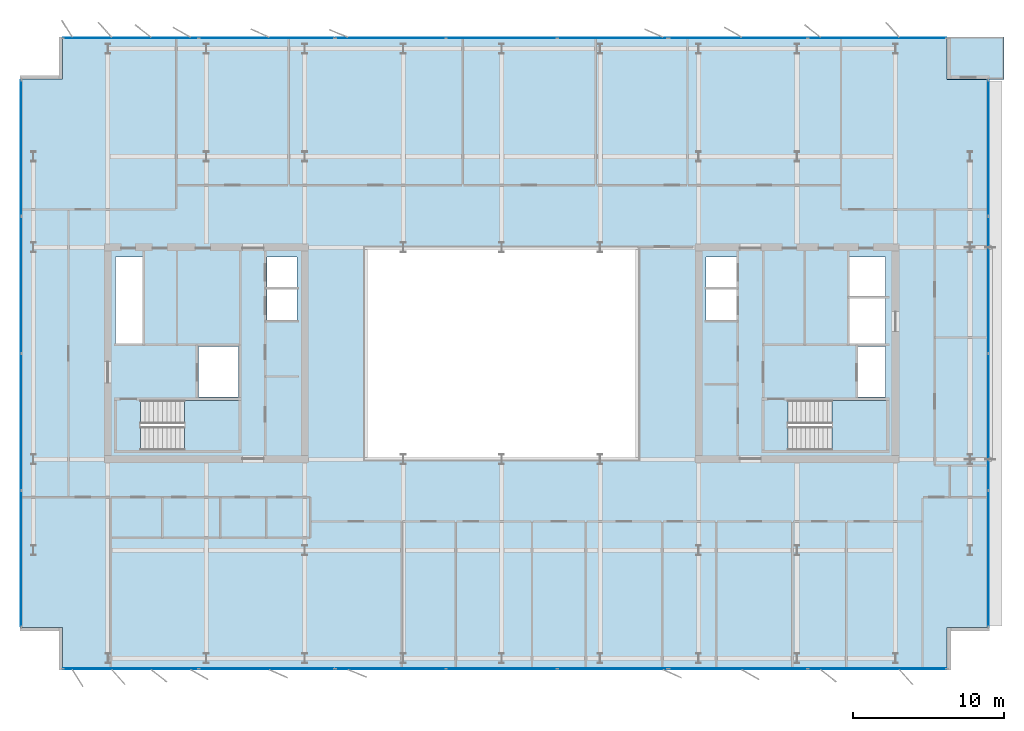
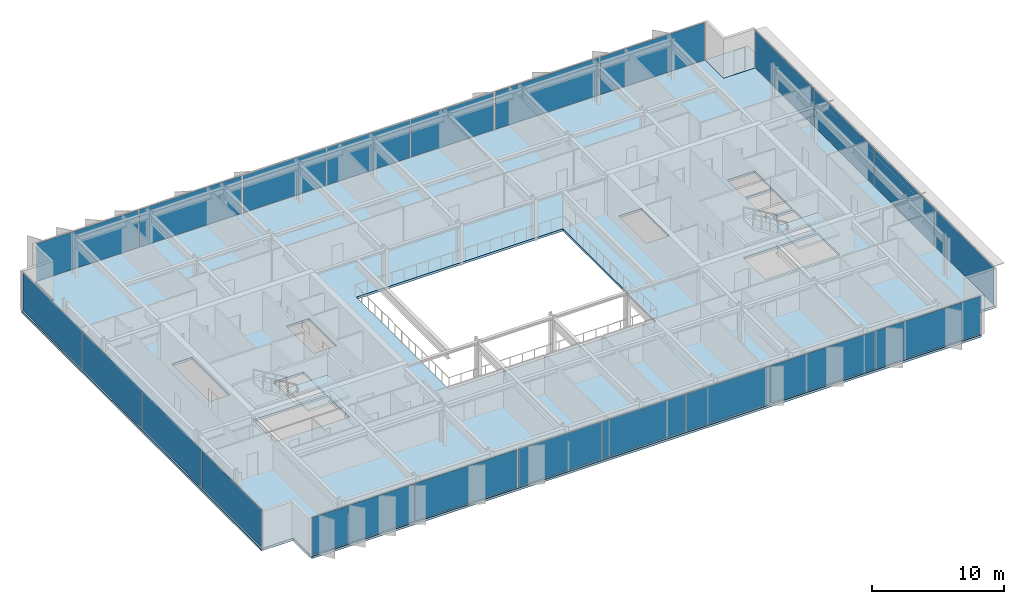
# One storey, part 10 of 19: 22 plates, 4 slabs, 10 elements without a shape of their own.
"""IFC4 building model written with IfcOpenShell, lengths in metres."""

from ifc_helpers import new_model, si_unit, direction, frame, origin, origin_2d, place, context, subcontext, project, spatial, polyline, rectangle, outline, extrude, material, layer, layer_set, type_object, element, aggregate, save


model = new_model("IFC4")

# Units and contexts
model_context = context("Model", 3, precision=1e-05, world=origin(), true_north=direction((0.0, 1.0)))
body_context = subcontext(model_context, "Body", "Model", "MODEL_VIEW")
ifc_project = project(units=[si_unit("LENGTHUNIT", "METRE"), si_unit("AREAUNIT", "SQUARE_METRE"), si_unit("VOLUMEUNIT", "CUBIC_METRE"), si_unit("PLANEANGLEUNIT", "RADIAN"), si_unit("MASSUNIT", "GRAM", prefix="KILO")], contexts=[model_context])

# Site, building, storey
site_placement = place(None, origin())
site = spatial("IfcSite", under=ifc_project, at=site_placement, CompositionType="ELEMENT")
building_placement = place(site_placement, origin())
building = spatial("IfcBuilding", under=site, at=building_placement, Name="Putna Gate Headquarters", CompositionType="ELEMENT")
storey_placement = place(building_placement, frame((0.0, 0.0, 267.0)))
storey = spatial("IfcBuildingStorey", under=building, at=storey_placement, Name="L67", CompositionType="ELEMENT", Elevation=267.0)

# Stair, slab
ifc_material_1 = material(Name="Concrete C40/50", Category="concrete")
stair_type_1 = type_object("IfcStairType", Name="STAIR-ST1", PredefinedType="HALF_TURN_STAIR", material=ifc_material_1)
stair_1_placement = place(storey_placement, origin())
stair_1 = element("IfcStair", 1, at=stair_1_placement, inside=storey, type_object=stair_type_1, Name="L67 West Core Exit Stair ST1", PredefinedType="HALF_TURN_STAIR")
ifc_layer_1 = layer(ifc_material_1, 0.199951171875)
ifc_layer_set_1 = layer_set([ifc_layer_1], Name="Concrete C40/50")
slab_type_1 = type_object("IfcSlabType", Name="LANDING-ST1", PredefinedType="LANDING", material=ifc_layer_set_1)
slab_1_placement = place(storey_placement, frame((0.0, 0.0, 1.699951171875)))
slab_1 = element("IfcSlab", 2, at=slab_1_placement, type_object=slab_type_1, Name="ST1 landing 1", PredefinedType="LANDING", context=body_context, shape_type="SweptSolid", body=[
    extrude(outline(polyline([(18.050048828125, 19.60009765625), (21.64990234375, 19.60009765625), (21.64990234375, 22.89990234375), (18.050048828125, 22.89990234375), (18.050048828125, 19.60009765625)])), origin(), (0.0, 0.0, 1.0), 0.199951171875),
])
aggregate(stair_1, [slab_1])

stair_type_2 = type_object("IfcStairType", Name="STAIR-ST2", PredefinedType="HALF_TURN_STAIR", material=ifc_material_1)
stair_2_placement = place(storey_placement, origin())
stair_2 = element("IfcStair", 3, at=stair_2_placement, inside=storey, type_object=stair_type_2, Name="L67 East Core Exit Stair ST2", PredefinedType="HALF_TURN_STAIR")
ifc_layer_2 = layer(ifc_material_1, 0.199951171875)
ifc_layer_set_2 = layer_set([ifc_layer_2], Name="Concrete C40/50")
slab_type_2 = type_object("IfcSlabType", Name="LANDING-ST2", PredefinedType="LANDING", material=ifc_layer_set_2)
slab_2_placement = place(storey_placement, frame((0.0, 0.0, 1.699951171875)))
slab_2 = element("IfcSlab", 4, at=slab_2_placement, type_object=slab_type_2, Name="ST2 landing 1", PredefinedType="LANDING", context=body_context, shape_type="SweptSolid", body=[
    extrude(outline(polyline([(60.800048828125, 19.60009765625), (64.39990234375, 19.60009765625), (64.39990234375, 22.89990234375), (60.800048828125, 22.89990234375), (60.800048828125, 19.60009765625)])), origin(), (0.0, 0.0, 1.0), 0.199951171875),
])
aggregate(stair_2, [slab_2])

# Curtain wall, plates
ifc_material_2 = material(Name="Anodised bronze aluminium curtain wall", Category="aluminium")
ifc_layer_3 = layer(ifc_material_2, 0.179931640625)
ifc_layer_set_3 = layer_set([ifc_layer_3], Name="Anodised bronze aluminium curtain wall")
curtain_wall_type_1 = type_object("IfcCurtainWallType", Name="CW-SYS-Z5", PredefinedType="USERDEFINED", material=ifc_layer_set_3)
curtain_wall_1_placement = place(storey_placement, origin())
curtain_wall_1 = element("IfcCurtainWall", 5, at=curtain_wall_1_placement, inside=storey, type_object=curtain_wall_type_1, Name="L67 South West Curtain Wall", ObjectType="STICK CURTAIN WALL", PredefinedType="USERDEFINED")
ifc_material_3 = material(Name="Solar-control triple low-E glass", Category="glass")
ifc_layer_4 = layer(ifc_material_3, 0.033935546875)
ifc_layer_set_4 = layer_set([ifc_layer_4], Name="Solar-control triple low-E glass")
plate_type_1 = type_object("IfcPlateType", Name="PAN-CWP-5", PredefinedType="CURTAIN_PANEL", material=ifc_layer_set_4)
plate_1_placement = place(storey_placement, frame((14.517578125, 5.179931640625, 0.06005859375), z_axis=(0.0, 0.0, 1.0), x_axis=(1.0, 0.0, 0.0)))
plate_1 = element("IfcPlate", 6, at=plate_1_placement, type_object=plate_type_1, Name="CWS-5 panel 1.1", PredefinedType="CURTAIN_PANEL", context=body_context, shape_type="SweptSolid", body=[
    extrude(rectangle(XDim=8.89501953125, YDim=0.033935546875, at=origin_2d()), origin(), (0.0, 0.0, 1.0), 3.468017578125),
])
plate_2_placement = place(storey_placement, frame((23.482421875, 5.179931640625, 0.06005859375), z_axis=(0.0, 0.0, 1.0), x_axis=(1.0, 0.0, 0.0)))
plate_2 = element("IfcPlate", 7, at=plate_2_placement, type_object=plate_type_1, Name="CWS-5 panel 2.1", PredefinedType="CURTAIN_PANEL", context=body_context, shape_type="SweptSolid", body=[
    extrude(rectangle(XDim=8.89501953125, YDim=0.033935546875, at=origin_2d()), origin(), (0.0, 0.0, 1.0), 3.468017578125),
])
aggregate(curtain_wall_1, [plate_1, plate_2])

curtain_wall_2_placement = place(storey_placement, origin())
curtain_wall_2 = element("IfcCurtainWall", 8, at=curtain_wall_2_placement, inside=storey, type_object=curtain_wall_type_1, Name="L67 South East Curtain Wall", ObjectType="STICK CURTAIN WALL", PredefinedType="USERDEFINED")
plate_3_placement = place(storey_placement, frame((54.621337890625, 5.179931640625, 0.06005859375), z_axis=(0.0, 0.0, 1.0), x_axis=(1.0, 0.0, 0.0)))
plate_3 = element("IfcPlate", 9, at=plate_3_placement, type_object=plate_type_1, Name="CWS-5 panel 1.1", PredefinedType="CURTAIN_PANEL", context=body_context, shape_type="SweptSolid", body=[
    extrude(rectangle(XDim=9.1025390625, YDim=0.033935546875, at=origin_2d()), origin(), (0.0, 0.0, 1.0), 3.468017578125),
])
plate_4_placement = place(storey_placement, frame((63.793701171875, 5.179931640625, 0.06005859375), z_axis=(0.0, 0.0, 1.0), x_axis=(1.0, 0.0, 0.0)))
plate_4 = element("IfcPlate", 10, at=plate_4_placement, type_object=plate_type_1, Name="CWS-5 panel 2.1", PredefinedType="CURTAIN_PANEL", context=body_context, shape_type="SweptSolid", body=[
    extrude(rectangle(XDim=9.1025390625, YDim=0.033935546875, at=origin_2d()), origin(), (0.0, 0.0, 1.0), 3.468017578125),
])
aggregate(curtain_wall_2, [plate_3, plate_4])

curtain_wall_3_placement = place(storey_placement, origin())
curtain_wall_3 = element("IfcCurtainWall", 11, at=curtain_wall_3_placement, inside=storey, type_object=curtain_wall_type_1, Name="L67 North West Curtain Wall", ObjectType="STICK CURTAIN WALL", PredefinedType="USERDEFINED")
plate_5_placement = place(storey_placement, frame((14.517578125, 46.820068359375, 0.06005859375), z_axis=(0.0, 0.0, 1.0), x_axis=(1.0, 0.0, 0.0)))
plate_5 = element("IfcPlate", 12, at=plate_5_placement, type_object=plate_type_1, Name="CWS-5 panel 1.1", PredefinedType="CURTAIN_PANEL", context=body_context, shape_type="SweptSolid", body=[
    extrude(rectangle(XDim=8.89501953125, YDim=0.033935546875, at=origin_2d()), origin(), (0.0, 0.0, 1.0), 3.468017578125),
])
plate_6_placement = place(storey_placement, frame((23.482421875, 46.820068359375, 0.06005859375), z_axis=(0.0, 0.0, 1.0), x_axis=(1.0, 0.0, 0.0)))
plate_6 = element("IfcPlate", 13, at=plate_6_placement, type_object=plate_type_1, Name="CWS-5 panel 2.1", PredefinedType="CURTAIN_PANEL", context=body_context, shape_type="SweptSolid", body=[
    extrude(rectangle(XDim=8.89501953125, YDim=0.033935546875, at=origin_2d()), origin(), (0.0, 0.0, 1.0), 3.468017578125),
])
aggregate(curtain_wall_3, [plate_5, plate_6])

curtain_wall_4_placement = place(storey_placement, origin())
curtain_wall_4 = element("IfcCurtainWall", 14, at=curtain_wall_4_placement, inside=storey, type_object=curtain_wall_type_1, Name="L67 North East Curtain Wall", ObjectType="STICK CURTAIN WALL", PredefinedType="USERDEFINED")
plate_7_placement = place(storey_placement, frame((54.621337890625, 46.820068359375, 0.06005859375), z_axis=(0.0, 0.0, 1.0), x_axis=(1.0, 0.0, 0.0)))
plate_7 = element("IfcPlate", 15, at=plate_7_placement, type_object=plate_type_1, Name="CWS-5 panel 1.1", PredefinedType="CURTAIN_PANEL", context=body_context, shape_type="SweptSolid", body=[
    extrude(rectangle(XDim=9.1025390625, YDim=0.033935546875, at=origin_2d()), origin(), (0.0, 0.0, 1.0), 3.468017578125),
])
plate_8_placement = place(storey_placement, frame((63.793701171875, 46.820068359375, 0.06005859375), z_axis=(0.0, 0.0, 1.0), x_axis=(1.0, 0.0, 0.0)))
plate_8 = element("IfcPlate", 16, at=plate_8_placement, type_object=plate_type_1, Name="CWS-5 panel 2.1", PredefinedType="CURTAIN_PANEL", context=body_context, shape_type="SweptSolid", body=[
    extrude(rectangle(XDim=9.1025390625, YDim=0.033935546875, at=origin_2d()), origin(), (0.0, 0.0, 1.0), 3.468017578125),
])
aggregate(curtain_wall_4, [plate_7, plate_8])

curtain_wall_5_placement = place(storey_placement, origin())
curtain_wall_5 = element("IfcCurtainWall", 17, at=curtain_wall_5_placement, inside=storey, type_object=curtain_wall_type_1, Name="L67 West Curtain Wall", ObjectType="STICK CURTAIN WALL", PredefinedType="USERDEFINED")
plate_9_placement = place(storey_placement, frame((7.280029296875, 12.4423828125, 0.06005859375), z_axis=(0.0, 0.0, 1.0), x_axis=(0.0, 1.0, 0.0)))
plate_9 = element("IfcPlate", 18, at=plate_9_placement, type_object=plate_type_1, Name="CWS-5 panel 1.1", PredefinedType="CURTAIN_PANEL", context=body_context, shape_type="SweptSolid", body=[
    extrude(rectangle(XDim=8.945068359375, YDim=0.033935546875, at=origin_2d()), origin(), (0.0, 0.0, 1.0), 3.468017578125),
])
plate_10_placement = place(storey_placement, frame((7.280029296875, 21.47509765625, 0.06005859375), z_axis=(0.0, 0.0, 1.0), x_axis=(0.0, 1.0, 0.0)))
plate_10 = element("IfcPlate", 19, at=plate_10_placement, type_object=plate_type_1, Name="CWS-5 panel 2.1", PredefinedType="CURTAIN_PANEL", context=body_context, shape_type="SweptSolid", body=[
    extrude(rectangle(XDim=8.97998046875, YDim=0.033935546875, at=origin_2d()), origin(), (0.0, 0.0, 1.0), 3.468017578125),
])
plate_11_placement = place(storey_placement, frame((7.280029296875, 30.52490234375, 0.06005859375), z_axis=(0.0, 0.0, 1.0), x_axis=(0.0, 1.0, 0.0)))
plate_11 = element("IfcPlate", 20, at=plate_11_placement, type_object=plate_type_1, Name="CWS-5 panel 3.1", PredefinedType="CURTAIN_PANEL", context=body_context, shape_type="SweptSolid", body=[
    extrude(rectangle(XDim=8.97998046875, YDim=0.033935546875, at=origin_2d()), origin(), (0.0, 0.0, 1.0), 3.468017578125),
])
plate_12_placement = place(storey_placement, frame((7.280029296875, 39.5576171875, 0.06005859375), z_axis=(0.0, 0.0, 1.0), x_axis=(0.0, 1.0, 0.0)))
plate_12 = element("IfcPlate", 21, at=plate_12_placement, type_object=plate_type_1, Name="CWS-5 panel 4.1", PredefinedType="CURTAIN_PANEL", context=body_context, shape_type="SweptSolid", body=[
    extrude(rectangle(XDim=8.945068359375, YDim=0.033935546875, at=origin_2d()), origin(), (0.0, 0.0, 1.0), 3.468017578125),
])
aggregate(curtain_wall_5, [plate_9, plate_10, plate_11, plate_12])

curtain_wall_6_placement = place(storey_placement, origin())
curtain_wall_6 = element("IfcCurtainWall", 22, at=curtain_wall_6_placement, inside=storey, type_object=curtain_wall_type_1, Name="L67 East Curtain Wall", ObjectType="STICK CURTAIN WALL", PredefinedType="USERDEFINED")
plate_13_placement = place(storey_placement, frame((71.135009765625, 12.4423828125, 0.06005859375), z_axis=(0.0, 0.0, 1.0), x_axis=(0.0, 1.0, 0.0)))
plate_13 = element("IfcPlate", 23, at=plate_13_placement, type_object=plate_type_1, Name="CWS-5 panel 1.1", PredefinedType="CURTAIN_PANEL", context=body_context, shape_type="SweptSolid", body=[
    extrude(rectangle(XDim=8.945068359375, YDim=0.033935546875, at=origin_2d()), origin(), (0.0, 0.0, 1.0), 3.468017578125),
])
plate_14_placement = place(storey_placement, frame((71.135009765625, 21.47509765625, 0.06005859375), z_axis=(0.0, 0.0, 1.0), x_axis=(0.0, 1.0, 0.0)))
plate_14 = element("IfcPlate", 24, at=plate_14_placement, type_object=plate_type_1, Name="CWS-5 panel 2.1", PredefinedType="CURTAIN_PANEL", context=body_context, shape_type="SweptSolid", body=[
    extrude(rectangle(XDim=8.97998046875, YDim=0.033935546875, at=origin_2d()), origin(), (0.0, 0.0, 1.0), 3.468017578125),
])
plate_15_placement = place(storey_placement, frame((71.135009765625, 30.52490234375, 0.06005859375), z_axis=(0.0, 0.0, 1.0), x_axis=(0.0, 1.0, 0.0)))
plate_15 = element("IfcPlate", 25, at=plate_15_placement, type_object=plate_type_1, Name="CWS-5 panel 3.1", PredefinedType="CURTAIN_PANEL", context=body_context, shape_type="SweptSolid", body=[
    extrude(rectangle(XDim=8.97998046875, YDim=0.033935546875, at=origin_2d()), origin(), (0.0, 0.0, 1.0), 3.468017578125),
])
plate_16_placement = place(storey_placement, frame((71.135009765625, 39.5576171875, 0.06005859375), z_axis=(0.0, 0.0, 1.0), x_axis=(0.0, 1.0, 0.0)))
plate_16 = element("IfcPlate", 26, at=plate_16_placement, type_object=plate_type_1, Name="CWS-5 panel 4.1", PredefinedType="CURTAIN_PANEL", context=body_context, shape_type="SweptSolid", body=[
    extrude(rectangle(XDim=8.945068359375, YDim=0.033935546875, at=origin_2d()), origin(), (0.0, 0.0, 1.0), 3.468017578125),
])
aggregate(curtain_wall_6, [plate_13, plate_14, plate_15, plate_16])

ifc_layer_5 = layer(ifc_material_2, 0.179931640625)
ifc_layer_set_5 = layer_set([ifc_layer_5], Name="Anodised bronze aluminium curtain wall")
curtain_wall_type_2 = type_object("IfcCurtainWallType", Name="CW-SYS-ATR", PredefinedType="USERDEFINED", material=ifc_layer_set_5)
curtain_wall_7_placement = place(storey_placement, origin())
curtain_wall_7 = element("IfcCurtainWall", 27, at=curtain_wall_7_placement, inside=storey, type_object=curtain_wall_type_2, Name="L67 South Atrium Clear Glazing", ObjectType="ATRIUM GLAZING", PredefinedType="USERDEFINED")
ifc_material_4 = material(Name="Clear low-iron triple glazing", Category="glass")
ifc_layer_6 = layer(ifc_material_4, 0.0400390625)
ifc_layer_set_6 = layer_set([ifc_layer_6], Name="Clear low-iron triple glazing")
plate_type_2 = type_object("IfcPlateType", Name="PAN-CWP-AT", PredefinedType="CURTAIN_PANEL", material=ifc_layer_set_6)
plate_17_placement = place(storey_placement, frame((31.68408203125, 5.179931640625, 0.06982421875), z_axis=(0.0, 0.0, 1.0), x_axis=(1.0, 0.0, 0.0)))
plate_17 = element("IfcPlate", 28, at=plate_17_placement, type_object=plate_type_2, Name="CWS-AT panel 1.1", PredefinedType="CURTAIN_PANEL", context=body_context, shape_type="SweptSolid", body=[
    extrude(rectangle(XDim=7.228271484375, YDim=0.0400390625, at=origin_2d()), origin(), (0.0, 0.0, 1.0), 3.447998046875),
])
plate_18_placement = place(storey_placement, frame((39.0, 5.179931640625, 0.06982421875), z_axis=(0.0, 0.0, 1.0), x_axis=(1.0, 0.0, 0.0)))
plate_18 = element("IfcPlate", 29, at=plate_18_placement, type_object=plate_type_2, Name="CWS-AT panel 2.1", PredefinedType="CURTAIN_PANEL", context=body_context, shape_type="SweptSolid", body=[
    extrude(rectangle(XDim=7.263427734375, YDim=0.0400390625, at=origin_2d()), origin(), (0.0, 0.0, 1.0), 3.447998046875),
])
plate_19_placement = place(storey_placement, frame((46.31591796875, 5.179931640625, 0.06982421875), z_axis=(0.0, 0.0, 1.0), x_axis=(1.0, 0.0, 0.0)))
plate_19 = element("IfcPlate", 30, at=plate_19_placement, type_object=plate_type_2, Name="CWS-AT panel 3.1", PredefinedType="CURTAIN_PANEL", context=body_context, shape_type="SweptSolid", body=[
    extrude(rectangle(XDim=7.228271484375, YDim=0.0400390625, at=origin_2d()), origin(), (0.0, 0.0, 1.0), 3.447998046875),
])
aggregate(curtain_wall_7, [plate_17, plate_18, plate_19])

curtain_wall_8_placement = place(storey_placement, origin())
curtain_wall_8 = element("IfcCurtainWall", 31, at=curtain_wall_8_placement, inside=storey, type_object=curtain_wall_type_2, Name="L67 North Atrium Clear Glazing", ObjectType="ATRIUM GLAZING", PredefinedType="USERDEFINED")
plate_20_placement = place(storey_placement, frame((31.68408203125, 46.820068359375, 0.06982421875), z_axis=(0.0, 0.0, 1.0), x_axis=(1.0, 0.0, 0.0)))
plate_20 = element("IfcPlate", 32, at=plate_20_placement, type_object=plate_type_2, Name="CWS-AT panel 1.1", PredefinedType="CURTAIN_PANEL", context=body_context, shape_type="SweptSolid", body=[
    extrude(rectangle(XDim=7.228271484375, YDim=0.0400390625, at=origin_2d()), origin(), (0.0, 0.0, 1.0), 3.447998046875),
])
plate_21_placement = place(storey_placement, frame((39.0, 46.820068359375, 0.06982421875), z_axis=(0.0, 0.0, 1.0), x_axis=(1.0, 0.0, 0.0)))
plate_21 = element("IfcPlate", 33, at=plate_21_placement, type_object=plate_type_2, Name="CWS-AT panel 2.1", PredefinedType="CURTAIN_PANEL", context=body_context, shape_type="SweptSolid", body=[
    extrude(rectangle(XDim=7.263427734375, YDim=0.0400390625, at=origin_2d()), origin(), (0.0, 0.0, 1.0), 3.447998046875),
])
plate_22_placement = place(storey_placement, frame((46.31591796875, 46.820068359375, 0.06982421875), z_axis=(0.0, 0.0, 1.0), x_axis=(1.0, 0.0, 0.0)))
plate_22 = element("IfcPlate", 34, at=plate_22_placement, type_object=plate_type_2, Name="CWS-AT panel 3.1", PredefinedType="CURTAIN_PANEL", context=body_context, shape_type="SweptSolid", body=[
    extrude(rectangle(XDim=7.228271484375, YDim=0.0400390625, at=origin_2d()), origin(), (0.0, 0.0, 1.0), 3.447998046875),
])
aggregate(curtain_wall_8, [plate_20, plate_21, plate_22])

# Slabs
ifc_layer_7 = layer(ifc_material_1, 0.179931640625)
ifc_layer_set_7 = layer_set([ifc_layer_7], Name="Concrete C40/50")
slab_type_3 = type_object("IfcSlabType", Name="SLAB-TERRACE-180", PredefinedType="FLOOR", material=ifc_layer_set_7)
slab_3_placement = place(storey_placement, frame((0.0, 0.0, -0.179931640625)))
element("IfcSlab", 35, at=slab_3_placement, inside=storey, type_object=slab_type_3, Name="L67 Spiral Sky-Garden Terrace Slab (NE)", PredefinedType="FLOOR", context=body_context, shape_type="SweptSolid", body=[
    extrude(outline(polyline([(68.406982421875, 44.092041015625), (72.1650390625, 44.092041015625), (72.1650390625, 46.89990234375), (68.406982421875, 46.89990234375), (68.406982421875, 44.092041015625)])), origin(), (0.0, 0.0, 1.0), 0.179931640625),
])
ifc_layer_8 = layer(ifc_material_1, 0.2119140625)
ifc_layer_set_8 = layer_set([ifc_layer_8], Name="Concrete C40/50")
slab_type_4 = type_object("IfcSlabType", Name="SLAB-Z5-212", PredefinedType="FLOOR", material=ifc_layer_set_8)
slab_4_placement = place(storey_placement, frame((0.0, 0.0, -0.2119140625)))
element("IfcSlab", 36, at=slab_4_placement, inside=storey, type_object=slab_type_4, Name="L67 Composite Floor Slab", PredefinedType="FLOOR", context=body_context, shape_type="SweptSolid", body=[
    extrude(outline(polyline([(10.0, 5.10009765625), (68.4150390625, 5.10009765625), (68.4150390625, 7.89990234375), (71.215087890625, 7.89990234375), (71.215087890625, 44.10009765625), (68.4150390625, 44.10009765625), (68.4150390625, 46.89990234375), (10.0, 46.89990234375), (10.0, 44.10009765625), (7.199951171875, 44.10009765625), (7.199951171875, 7.89990234375), (10.0, 7.89990234375), (10.0, 5.10009765625)]), holes=[polyline([(15.1650390625, 19.60009765625), (21.64990234375, 19.60009765625), (21.64990234375, 22.89990234375), (15.1650390625, 22.89990234375), (15.1650390625, 19.60009765625)]), polyline([(57.9150390625, 19.60009765625), (64.39990234375, 19.60009765625), (64.39990234375, 22.89990234375), (57.9150390625, 22.89990234375), (57.9150390625, 19.60009765625)]), polyline([(13.52001953125, 26.659912109375), (15.280029296875, 26.659912109375), (15.280029296875, 32.35009765625), (13.52001953125, 32.35009765625), (13.52001953125, 26.659912109375)]), polyline([(61.969970703125, 29.780029296875), (64.35009765625, 29.780029296875), (64.35009765625, 32.35009765625), (61.969970703125, 32.35009765625), (61.969970703125, 29.780029296875)]), polyline([(18.97998046875, 23.1201171875), (21.6201171875, 23.1201171875), (21.6201171875, 26.4599609375), (18.97998046875, 26.4599609375), (18.97998046875, 23.1201171875)]), polyline([(62.52001953125, 23.1201171875), (64.35009765625, 23.1201171875), (64.35009765625, 26.4599609375), (62.52001953125, 26.4599609375), (62.52001953125, 23.1201171875)]), polyline([(61.969970703125, 26.659912109375), (64.35009765625, 26.659912109375), (64.35009765625, 29.6201171875), (61.969970703125, 29.6201171875), (61.969970703125, 26.659912109375)]), polyline([(23.5, 28.199951171875), (25.5, 28.199951171875), (25.5, 32.35009765625), (23.5, 32.35009765625), (23.5, 28.199951171875)]), polyline([(52.47998046875, 28.199951171875), (54.5, 28.199951171875), (54.5, 32.35009765625), (52.47998046875, 32.35009765625), (52.47998046875, 28.199951171875)]), polyline([(30.0, 19.0), (48.0, 19.0), (48.0, 33.0), (30.0, 33.0), (30.0, 19.0)])]), origin(), (0.0, 0.0, 1.0), 0.2119140625),
])

save(model, "model.ifc")
